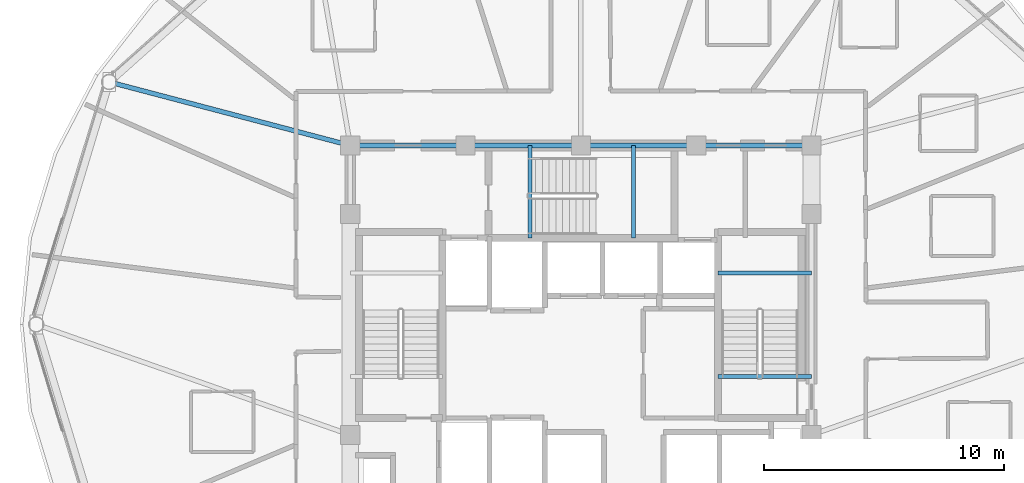
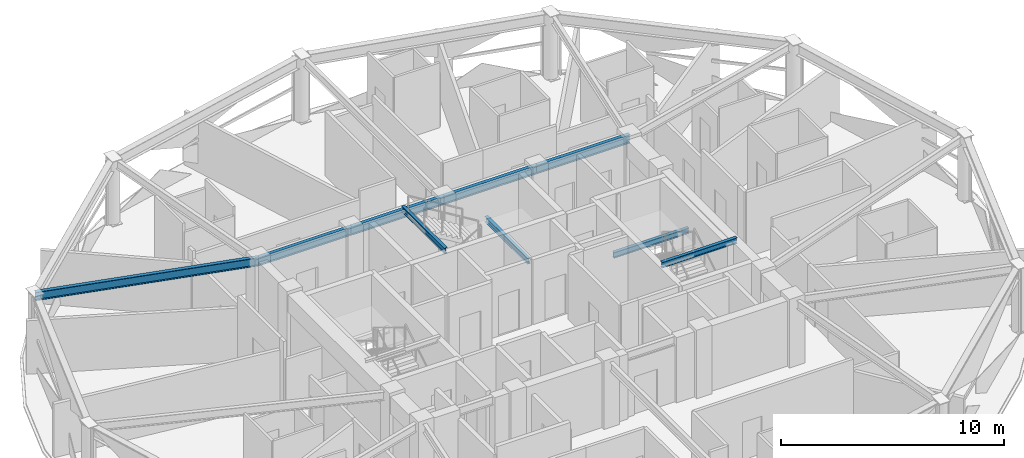
# One storey, part 10 of 30: 9 beams.
"""IFC4 building model written with IfcOpenShell, lengths in metres."""

from ifc_helpers import new_model, si_unit, direction, frame, origin, origin_2d, place, context, subcontext, project, spatial, i_section, extrude, material, material_profile, profile_set, type_object, element, save


model = new_model("IFC4")

# Units and contexts
model_context = context("Model", 3, precision=1e-05, world=origin(), true_north=direction((0.0, 1.0)))
body_context = subcontext(model_context, "Body", "Model", "MODEL_VIEW")
ifc_project = project(units=[si_unit("LENGTHUNIT", "METRE"), si_unit("AREAUNIT", "SQUARE_METRE"), si_unit("VOLUMEUNIT", "CUBIC_METRE"), si_unit("PLANEANGLEUNIT", "RADIAN"), si_unit("MASSUNIT", "GRAM", prefix="KILO")], contexts=[model_context])

# Site, building, storey
site_placement = place(None, origin())
site = spatial("IfcSite", under=ifc_project, at=site_placement, CompositionType="ELEMENT")
building_placement = place(site_placement, origin())
building = spatial("IfcBuilding", under=site, at=building_placement, Name="Vantalir Tower", CompositionType="ELEMENT")
storey_placement = place(building_placement, frame((0.0, 0.0, 193.64990234375)))
storey = spatial("IfcBuildingStorey", under=building, at=storey_placement, Name="L48", CompositionType="ELEMENT", Elevation=193.64990234375)

# Beams
ifc_material = material(Name="Steel S355", Category="steel")
ifc_material_profile_1 = material_profile(ifc_material, i_section(OverallWidth=0.166015625, OverallDepth=0.306884765625, WebThickness=0.006591796875, FlangeThickness=0.01171875, at=origin_2d()), Name="Steel S355")
ifc_profile_set_1 = profile_set([ifc_material_profile_1], Name="Steel S355")
beam_type_1 = type_object("IfcBeamType", Name="BM-JS-305x165", PredefinedType="JOIST", material=ifc_profile_set_1)
for number, where, z_axis, x_axis, name in (
    (1, (37.2099609375, 22.8349609375, 3.59619140625), (1.0, 0.0, 0.0), (0.0, 1.0, 0.0), "L49 Stair ST2 Well Nosing Trimmer Beam"),
    (2, (37.2099609375, 27.14501953125, 1.52099609375), (1.0, 0.0, 0.0), (0.0, 1.0, 0.0), "L48 Stair ST2 Half-Landing Support Beam"),
):
    element("IfcBeam", number, at=place(storey_placement, frame(where, z_axis=z_axis, x_axis=x_axis)), inside=storey, type_object=beam_type_1, Name=name, PredefinedType="JOIST", context=body_context, shape_type="SweptSolid", body=[
        extrude(i_section(OverallWidth=0.166015625, OverallDepth=0.306884765625, WebThickness=0.006591796875, FlangeThickness=0.01171875, at=origin_2d()), origin(), (0.0, 0.0, 1.0), 3.89013671875),
    ])
for number, where, z_axis, x_axis, name in (
    (3, (29.385009765625, 28.60009765625, 3.59619140625), (0.0, 1.0, 0.0), (-1.0, 0.0, 0.0), "L49 Stair ST3 Well Nosing Trimmer Beam"),
    (4, (33.695068359375, 28.60009765625, 1.52099609375), (0.0, 1.0, 0.0), (-1.0, 0.0, 0.0), "L48 Stair ST3 Half-Landing Support Beam"),
):
    element("IfcBeam", number, at=place(storey_placement, frame(where, z_axis=z_axis, x_axis=x_axis)), inside=storey, type_object=beam_type_1, Name=name, PredefinedType="JOIST", context=body_context, shape_type="SweptSolid", body=[
        extrude(i_section(OverallWidth=0.166015625, OverallDepth=0.306884765625, WebThickness=0.006591796875, FlangeThickness=0.01171875, at=origin_2d()), origin(), (0.0, 0.0, 1.0), 3.849853515625),
    ])
ifc_material_profile_2 = material_profile(ifc_material, i_section(OverallWidth=0.19189453125, OverallDepth=0.462890625, WebThickness=0.010498046875, FlangeThickness=0.017578125, at=origin_2d()), Name="Steel S355")
ifc_profile_set_2 = profile_set([ifc_material_profile_2], Name="Steel S355")
beam_type_2 = type_object("IfcBeamType", Name="BM-RB-457x191", PredefinedType="BEAM", material=ifc_profile_set_2)
for number, where, z_axis, x_axis, name in (
    (5, (41.10009765625, 32.449951171875, 3.338134765625), (-1.0, 0.0, 0.0), (0.0, -1.0, 0.0), "L48 Core Coupling Girder 08"),
    (6, (36.300048828125, 32.449951171875, 3.338134765625), (-1.0, 0.0, 0.0), (0.0, -1.0, 0.0), "L48 Core Coupling Girder 09"),
    (7, (31.5, 32.449951171875, 3.338134765625), (-1.0, 0.0, 0.0), (0.0, -1.0, 0.0), "L48 Core Coupling Girder 10"),
    (8, (26.699951171875, 32.449951171875, 3.338134765625), (-1.0, 0.0, 0.0), (0.0, -1.0, 0.0), "L48 Core Coupling Girder 11"),
):
    element("IfcBeam", number, at=place(storey_placement, frame(where, z_axis=z_axis, x_axis=x_axis)), inside=storey, type_object=beam_type_2, Name=name, PredefinedType="BEAM", context=body_context, shape_type="SweptSolid", body=[
        extrude(i_section(OverallWidth=0.19189453125, OverallDepth=0.462890625, WebThickness=0.010498046875, FlangeThickness=0.017578125, at=origin_2d()), origin(), (0.0, 0.0, 1.0), 4.800048828125),
    ])
beam_placement = place(storey_placement, frame((11.862060546875, 35.093994140625, 3.338134765625), z_axis=(0.967015102182, -0.254719045522, 0.0), x_axis=(0.254719045522, 0.967015102182, 0.0)))
element("IfcBeam", 9, at=beam_placement, inside=storey, type_object=beam_type_2, Name="L48 Radial Floor Beam 06", PredefinedType="BEAM", context=body_context, shape_type="SweptSolid", body=[
    extrude(i_section(OverallWidth=0.19189453125, OverallDepth=0.462890625, WebThickness=0.010498046875, FlangeThickness=0.017578125, at=origin_2d()), origin(), (0.0, 0.0, 1.0), 10.380126953125),
])

save(model, "model.ifc")
